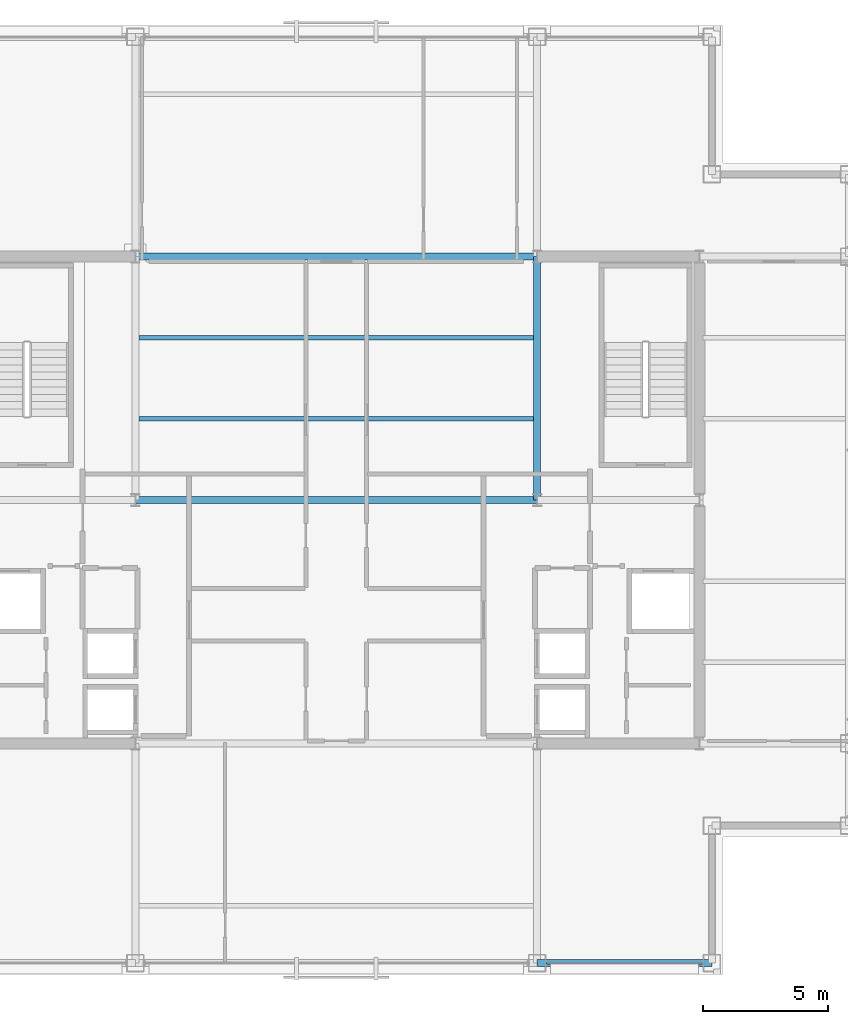
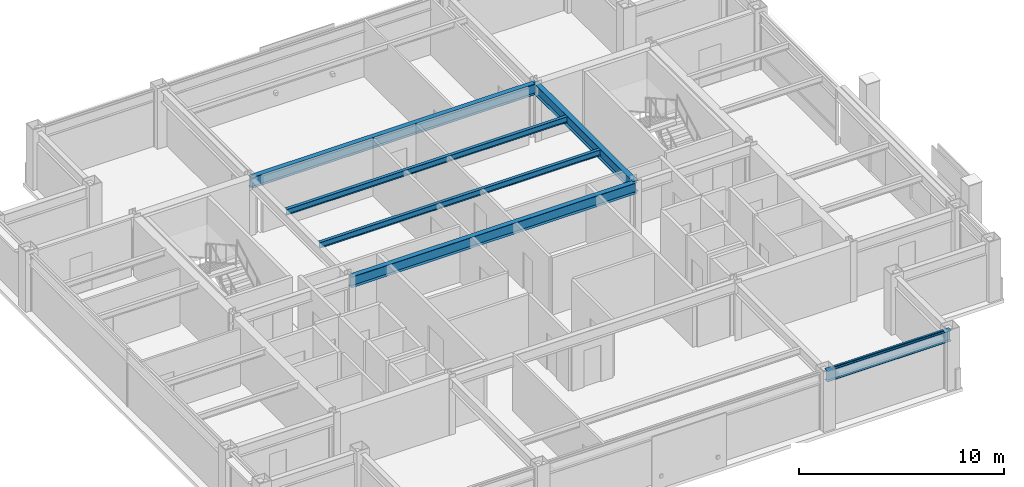
# One storey, part 11 of 30: 6 beams, 1 member, 1 element without a shape of its own.
"""IFC4 building model written with IfcOpenShell, lengths in metres."""

from ifc_helpers import new_model, si_unit, direction, frame, origin, origin_2d, place, context, subcontext, project, spatial, hollow_rectangle, i_section, extrude, material, layer, layer_set, material_profile, profile_set, type_object, element, aggregate, save


model = new_model("IFC4")

# Units and contexts
model_context = context("Model", 3, precision=1e-05, world=origin(), true_north=direction((0.0, 1.0)))
body_context = subcontext(model_context, "Body", "Model", "MODEL_VIEW")
ifc_project = project(units=[si_unit("LENGTHUNIT", "METRE"), si_unit("AREAUNIT", "SQUARE_METRE"), si_unit("VOLUMEUNIT", "CUBIC_METRE"), si_unit("PLANEANGLEUNIT", "RADIAN"), si_unit("MASSUNIT", "GRAM", prefix="KILO")], contexts=[model_context])

# Site, building, storey
site_placement = place(None, origin())
site = spatial("IfcSite", under=ifc_project, at=site_placement, CompositionType="ELEMENT")
building_placement = place(site_placement, origin())
building = spatial("IfcBuilding", under=site, at=building_placement, Name="Brelmoor Portico Tower", CompositionType="ELEMENT")
storey_placement = place(building_placement, frame((0.0, 0.0, 187.5)))
storey = spatial("IfcBuildingStorey", under=building, at=storey_placement, Name="L49", CompositionType="ELEMENT", Elevation=187.5)

# Beams
ifc_material_1 = material(Name="Steel Q355B", Category="steel")
ifc_material_profile_1 = material_profile(ifc_material_1, i_section(OverallWidth=0.175048828125, OverallDepth=0.35009765625, WebThickness=0.007080078125, FlangeThickness=0.010986328125, at=origin_2d()), Name="HN 350x175x7x11")
ifc_profile_set_1 = profile_set([ifc_material_profile_1], Name="Steel Q355B")
beam_type_1 = type_object("IfcBeamType", Name="BM-JS-350", PredefinedType="JOIST", material=ifc_profile_set_1)
for number, where, z_axis, x_axis, name in (
    (1, (-7.909912109375, 3.25, 3.22509765625), (1.0, 0.0, 0.0), (0.0, 1.0, 0.0), "L49 Secondary Composite Joist JS-C02"),
    (2, (-7.909912109375, 6.5, 3.22509765625), (1.0, 0.0, 0.0), (0.0, 1.0, 0.0), "L49 Secondary Composite Joist JS-C03"),
):
    element("IfcBeam", number, at=place(storey_placement, frame(where, z_axis=z_axis, x_axis=x_axis)), inside=storey, type_object=beam_type_1, Name=name, PredefinedType="JOIST", context=body_context, shape_type="SweptSolid", body=[
        extrude(i_section(OverallWidth=0.175048828125, OverallDepth=0.35009765625, WebThickness=0.007080078125, FlangeThickness=0.010986328125, at=origin_2d()), origin(), (0.0, 0.0, 1.0), 15.81982421875),
    ])
ifc_material_profile_2 = material_profile(ifc_material_1, i_section(OverallWidth=0.280029296875, OverallDepth=0.64990234375, WebThickness=0.012939453125, FlangeThickness=0.02197265625, at=origin_2d()), Name="HN 650x280x13x22")
ifc_profile_set_2 = profile_set([ifc_material_profile_2], Name="Steel Q355B")
beam_type_2 = type_object("IfcBeamType", Name="BM-PG-650", PredefinedType="BEAM", material=ifc_profile_set_2)
beam_1_placement = place(storey_placement, frame((8.050048828125, 0.0, 3.074951171875), z_axis=(0.0, 1.0, 0.0), x_axis=(-1.0, 0.0, 0.0)))
element("IfcBeam", 3, at=beam_1_placement, inside=storey, type_object=beam_type_2, Name="L49 Primary Floor Girder PG-07", PredefinedType="BEAM", context=body_context, shape_type="SweptSolid", body=[
    extrude(i_section(OverallWidth=0.280029296875, OverallDepth=0.64990234375, WebThickness=0.012939453125, FlangeThickness=0.02197265625, at=origin_2d()), origin(), (0.0, 0.0, 1.0), 9.75),
])
for number, where, z_axis, x_axis, name in (
    (4, (-8.050048828125, 0.0, 3.074951171875), (1.0, 0.0, 0.0), (0.0, 1.0, 0.0), "L49 Primary Floor Girder PG-17"),
    (5, (-8.050048828125, 9.75, 3.074951171875), (1.0, 0.0, 0.0), (0.0, 1.0, 0.0), "L49 Primary Floor Girder PG-21"),
):
    element("IfcBeam", number, at=place(storey_placement, frame(where, z_axis=z_axis, x_axis=x_axis)), inside=storey, type_object=beam_type_2, Name=name, PredefinedType="BEAM", context=body_context, shape_type="SweptSolid", body=[
        extrude(i_section(OverallWidth=0.280029296875, OverallDepth=0.64990234375, WebThickness=0.012939453125, FlangeThickness=0.02197265625, at=origin_2d()), origin(), (0.0, 0.0, 1.0), 16.10009765625),
    ])
ifc_material_profile_3 = material_profile(ifc_material_1, i_section(OverallWidth=0.280029296875, OverallDepth=0.64990234375, WebThickness=0.012939453125, FlangeThickness=0.02197265625, at=origin_2d()), Name="HN 650x280x13x22")
ifc_profile_set_3 = profile_set([ifc_material_profile_3], Name="Steel Q355B")
beam_type_3 = type_object("IfcBeamType", Name="BM-SP-650", PredefinedType="SPANDREL", material=ifc_profile_set_3)
beam_2_placement = place(storey_placement, frame((8.050048828125, -18.550048828125, 3.074951171875), z_axis=(1.0, 0.0, 0.0), x_axis=(0.0, 1.0, 0.0)))
element("IfcBeam", 6, at=beam_2_placement, inside=storey, type_object=beam_type_3, Name="L49 Perimeter Spandrel Beam SP-03", PredefinedType="SPANDREL", context=body_context, shape_type="SweptSolid", body=[
    extrude(i_section(OverallWidth=0.280029296875, OverallDepth=0.64990234375, WebThickness=0.012939453125, FlangeThickness=0.02197265625, at=origin_2d()), origin(), (0.0, 0.0, 1.0), 7.0),
])

# Curtain wall, member
ifc_material_2 = material(Name="Anodised Aluminium Alloy 6063-T6", Category="aluminium")
ifc_layer = layer(ifc_material_2, 0.179931640625)
ifc_layer_set = layer_set([ifc_layer], Name="Anodised Aluminium Alloy 6063-T6")
curtain_wall_type = type_object("IfcCurtainWallType", Name="CW-TOWER-Z3-XB", PredefinedType="NOTDEFINED", material=ifc_layer_set)
curtain_wall_placement = place(storey_placement, origin())
curtain_wall = element("IfcCurtainWall", 7, at=curtain_wall_placement, inside=storey, type_object=curtain_wall_type, Name="L49 Curtain Wall CW-L49-01-3", PredefinedType="NOTDEFINED")
ifc_material_profile_4 = material_profile(ifc_material_2, hollow_rectangle(XDim=0.06005859375, YDim=0.125, WallThickness=0.00341796875, at=origin_2d()), Name="ALU TRANSOM 60x125")
ifc_profile_set_4 = profile_set([ifc_material_profile_4], Name="Anodised Aluminium Alloy 6063-T6")
member_type = type_object("IfcMemberType", Name="MB-CW-TRAN-125", PredefinedType="USERDEFINED", material=ifc_profile_set_4)
member_placement = place(storey_placement, frame((8.409912109375, -18.550048828125, 3.33740234375), z_axis=(1.0, 0.0, 0.0), x_axis=(0.0, 1.0, 0.0)))
member = element("IfcMember", 8, at=member_placement, type_object=member_type, Name="CW-L49-01-3 Transom 1-00", ObjectType="TRANSOM", PredefinedType="USERDEFINED", context=body_context, shape_type="SweptSolid", body=[
    extrude(hollow_rectangle(XDim=0.06005859375, YDim=0.125, WallThickness=0.00341796875, at=origin_2d()), origin(), (0.0, 0.0, 1.0), 6.280029296875),
])
aggregate(curtain_wall, [member])

save(model, "model.ifc")
